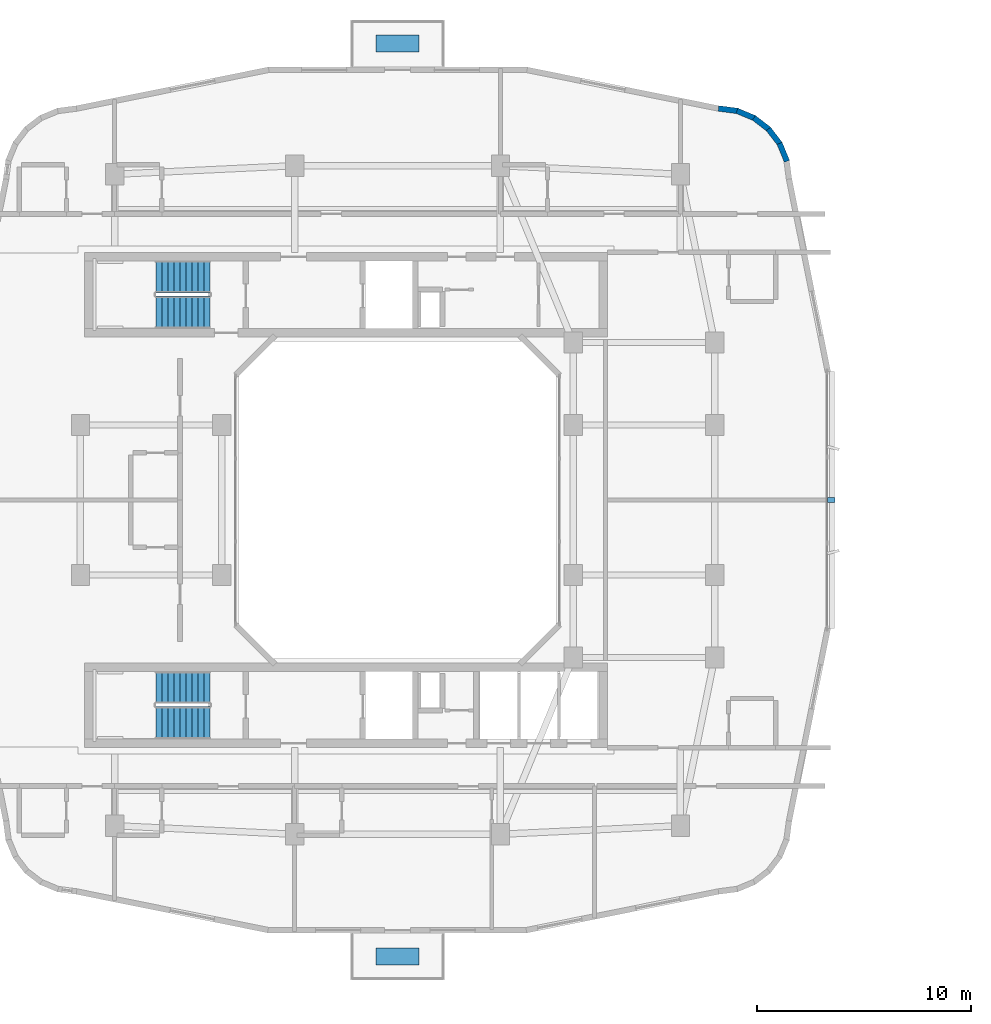
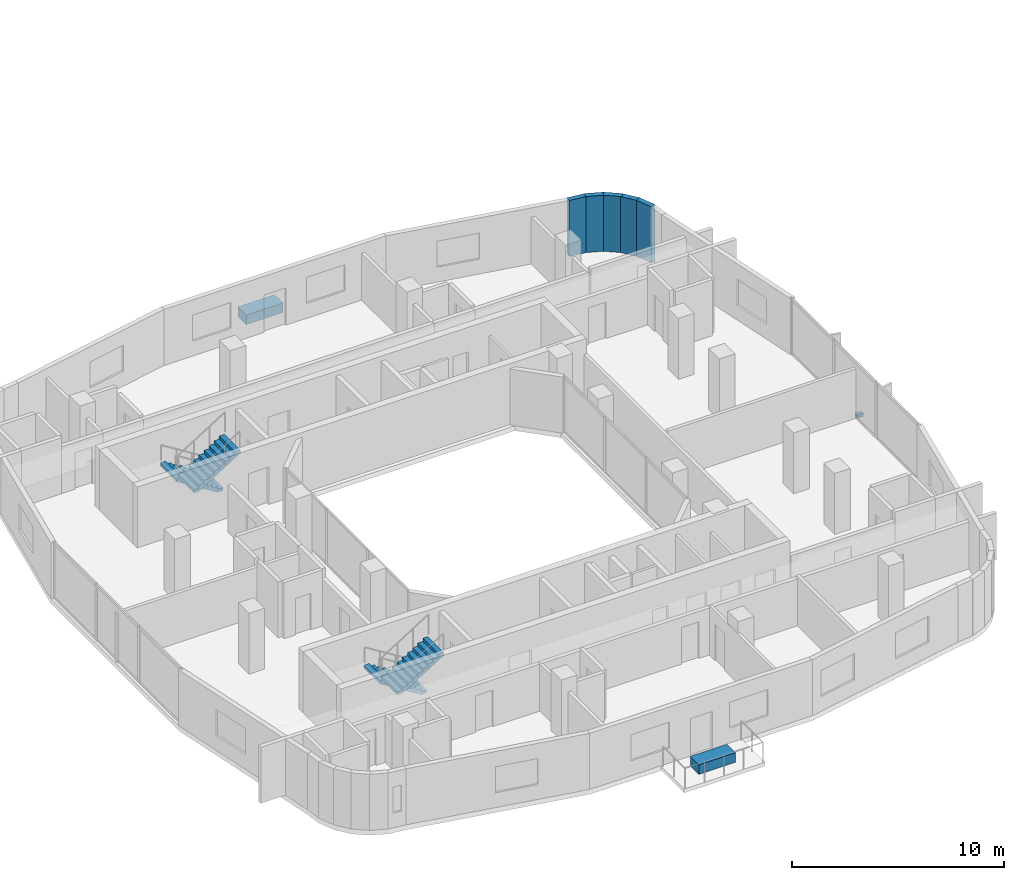
# One storey, part 9 of 13: 5 walls, 4 stair flights, 3 discrete accessories, 2 elements without a shape of their own.
"""IFC4 building model written with IfcOpenShell, lengths in metres."""

import ifcopenshell
import ifcopenshell.guid

model = None  # the IFC model being written
_history = None  # IfcOwnerHistory: only IFC2X3 demands one
_inside = {}  # id of a spatial element -> (the spatial element, [elements in it])
_under = {}  # id of a project, library or spatial element -> (it, [spatial elements below it])
_declared = {}  # id of a project -> (the project, [libraries it declares])
_typed = {}  # id of a type object -> (the type object, [elements of that type])
_made_of = {}  # id of a material, layer set ... -> (it, [elements and type objects made of it])


def new_model(schema):
    """Start an empty IFC model of exactly this schema.

    Asked for "IFC4X3", IfcOpenShell would pick the latest addendum, in which some entities
    have other attributes; the version numbers below select the first issue.
    IFC2X3 requires an IfcOwnerHistory on every rooted entity: one is made here for all.
    """
    global model, _history
    if schema == "IFC4X3":
        model = ifcopenshell.file(schema_version=(4, 3, 0, 0))
    else:
        model = ifcopenshell.file(schema=schema)
    _inside.clear()
    _under.clear()
    _declared.clear()
    _typed.clear()
    _made_of.clear()
    _history = None
    if model.schema == "IFC2X3":
        org = make("IfcOrganization", Name="unknown")
        user = make(
            "IfcPersonAndOrganization",
            ThePerson=make("IfcPerson", FamilyName="unknown"),
            TheOrganization=org,
        )
        app = make(
            "IfcApplication",
            ApplicationDeveloper=org,
            Version="unknown",
            ApplicationFullName="unknown",
            ApplicationIdentifier="unknown",
        )
        _history = make(
            "IfcOwnerHistory",
            OwningUser=user,
            OwningApplication=app,
            ChangeAction="ADDED",
            CreationDate=0,
        )
    return model


def make(cls, **values):
    """One entity of the class cls with the attributes given. An attribute that is None is left unset."""
    return model.create_entity(
        cls, **{name: value for name, value in values.items() if value is not None}
    )


def rooted(cls, **values):
    """An entity with a GlobalId (a new one), such as an element, a storey or a relation."""
    return make(cls, GlobalId=ifcopenshell.guid.new(), OwnerHistory=_history, **values)


def si_unit(unit_type, name, prefix=None):
    """IfcSIUnit, for example si_unit("LENGTHUNIT", "METRE", prefix="MILLI")."""
    return make("IfcSIUnit", UnitType=unit_type, Prefix=prefix, Name=name)


def derived_unit(unit_type, elements):
    """IfcDerivedUnit: a product of units, each with its exponent."""
    return make(
        "IfcDerivedUnit",
        Elements=[
            make("IfcDerivedUnitElement", Unit=unit, Exponent=power)
            for unit, power in elements
        ],
        UnitType=unit_type,
    )


def assignment(units):
    """IfcUnitAssignment: the units of a project."""
    return None if units is None else make("IfcUnitAssignment", Units=units)


def point(xyz):
    """IfcCartesianPoint."""
    return None if xyz is None else make("IfcCartesianPoint", Coordinates=xyz)


def direction(xyz):
    """IfcDirection."""
    return None if xyz is None else make("IfcDirection", DirectionRatios=xyz)


def frame(location, z_axis=None, x_axis=None):
    """IfcAxis2Placement3D, a coordinate frame: its origin and axes. An axis left out is left unset."""
    return make(
        "IfcAxis2Placement3D",
        Location=point(location),
        Axis=direction(z_axis),
        RefDirection=direction(x_axis),
    )


def frame_2d(location, x_axis=None):
    """IfcAxis2Placement2D, a coordinate frame in the plane: its origin and x axis."""
    return make(
        "IfcAxis2Placement2D", Location=point(location), RefDirection=direction(x_axis)
    )


def origin():
    """The frame at (0, 0, 0) with its axes left unset."""
    return frame((0.0, 0.0, 0.0))


def origin_2d():
    """The frame at (0, 0) in the plane with its x axis left unset."""
    return frame_2d((0.0, 0.0))


def place(relative_to, where):
    """IfcLocalPlacement: puts the frame where relative to a parent placement (None: the world)."""
    return make(
        "IfcLocalPlacement", PlacementRelTo=relative_to, RelativePlacement=where
    )


def context(
    kind, dimensions, precision=None, world=None, true_north=None, identifier=None
):
    """IfcGeometricRepresentationContext, for example the 3D "Model" context."""
    return make(
        "IfcGeometricRepresentationContext",
        ContextIdentifier=identifier,
        ContextType=kind,
        CoordinateSpaceDimension=dimensions,
        Precision=precision,
        WorldCoordinateSystem=world,
        TrueNorth=true_north,
    )


def subcontext(parent, identifier, kind, view, scale=None):
    """IfcGeometricRepresentationSubContext, for example "Body" below "Model"."""
    return make(
        "IfcGeometricRepresentationSubContext",
        ContextIdentifier=identifier,
        ContextType=kind,
        ParentContext=parent,
        TargetScale=scale,
        TargetView=view,
    )


def project(units=None, contexts=None):
    """IfcProject with its units and contexts."""
    return rooted(
        "IfcProject",
        Name="project",
        RepresentationContexts=contexts,
        UnitsInContext=assignment(units),
    )


def spatial(cls, under=None, at=None, **own):
    """A site, building, storey or space (cls), placed at a placement, below another one or the project."""
    s = rooted(cls, ObjectPlacement=at, **own)
    if under is not None:
        _under.setdefault(under.id(), (under, []))[1].append(s)
    return s


def polyline(points):
    """IfcPolyline through the points."""
    return make("IfcPolyline", Points=[point(p) for p in points])


def profile(cls, at=None, kind="AREA", **sizes):
    """A parametric profile (cls). Its sizes go by their IFC names, for example OverallWidth=200.0."""
    return make(cls, ProfileType=kind, Position=at, **sizes)


def rectangle(**sizes):
    """IfcRectangleProfileDef."""
    return profile("IfcRectangleProfileDef", **sizes)


def outline(outer, holes=None, kind="AREA"):
    """IfcArbitraryClosedProfileDef: a profile drawn as a closed curve; with holes, ...WithVoids."""
    if holes is None:
        return make("IfcArbitraryClosedProfileDef", ProfileType=kind, OuterCurve=outer)
    return make(
        "IfcArbitraryProfileDefWithVoids",
        ProfileType=kind,
        OuterCurve=outer,
        InnerCurves=holes,
    )


def extrude(swept, where, along, depth):
    """IfcExtrudedAreaSolid: the profile swept, set in the frame where, extruded along a direction by depth."""
    return make(
        "IfcExtrudedAreaSolid",
        SweptArea=swept,
        Position=where,
        ExtrudedDirection=direction(along),
        Depth=depth,
    )


def shape(context_of_items, identifier, shape_type, items):
    """IfcShapeRepresentation: the items that make up one representation, for example the "Body"."""
    return make(
        "IfcShapeRepresentation",
        ContextOfItems=context_of_items,
        RepresentationIdentifier=identifier,
        RepresentationType=shape_type,
        Items=items,
    )


def material(Name=None, Category=None):
    """IfcMaterial."""
    return make("IfcMaterial", Name=Name, Category=Category)


def layer(
    of_material, thickness, ventilated=None, Name=None, Category=None, Priority=None
):
    """IfcMaterialLayer: one layer of a wall or slab, of a material (None: an air gap)."""
    return make(
        "IfcMaterialLayer",
        Material=of_material,
        LayerThickness=thickness,
        IsVentilated=ventilated,
        Name=Name,
        Category=Category,
        Priority=Priority,
    )


def layer_set(layers, Name=None):
    """IfcMaterialLayerSet."""
    return make("IfcMaterialLayerSet", MaterialLayers=layers, LayerSetName=Name)


def made_of(thing, what):
    """Note that an element or type object is made of a material, layer set ...; save() writes the relation."""
    if what is not None:
        _made_of.setdefault(what.id(), (what, []))[1].append(thing)
    return thing


def type_object(cls, material=None, **own):
    """A type object (cls), such as IfcWallType, which elements share."""
    return made_of(rooted(cls, **own), material)


def element(
    cls,
    number,
    at=None,
    inside=None,
    cuts=None,
    type_object=None,
    material=None,
    context=None,
    identifier="Body",
    shape_type=None,
    held_by="IfcProductDefinitionShape",
    body=None,
    shapes=None,
    **own,
):
    """One element of the class cls, such as IfcWall. Its Tag is "e" and its number.

    at: its placement. inside: the storey or other place that contains it. cuts: it is an
    opening in that element (IfcRelVoidsElement). A single representation is given by context,
    identifier, shape_type and body (its items); several are given by shapes. held_by: the class
    of the entity that holds the representations. save() writes the other relations.
    """
    e = rooted(cls, Tag="e%d" % number, ObjectPlacement=at, **own)
    if body is not None:
        shapes = [shape(context, identifier, shape_type, body)]
    if shapes is not None:
        e.Representation = make(held_by, Representations=shapes)
    if inside is not None:
        _inside.setdefault(inside.id(), (inside, []))[1].append(e)
    if cuts is not None:
        rooted(
            "IfcRelVoidsElement", RelatingBuildingElement=cuts, RelatedOpeningElement=e
        )
    if type_object is not None:
        _typed.setdefault(type_object.id(), (type_object, []))[1].append(e)
    return made_of(e, material)


def aggregate(whole, parts):
    """IfcRelAggregates: a whole, such as a stair, and the parts it consists of."""
    return rooted("IfcRelAggregates", RelatingObject=whole, RelatedObjects=parts)


def save(model, path):
    """Write the relations noted so far, then the file.

    IfcRelAggregates (storeys below a building ...), IfcRelContainedInSpatialStructure (elements
    in a storey), IfcRelDefinesByType, IfcRelAssociatesMaterial and IfcRelDeclares: one each for
    every whole, place, type object, material and project.
    """
    for whole, parts in _under.values():
        aggregate(whole, parts)
    for where, things in _inside.values():
        rooted(
            "IfcRelContainedInSpatialStructure",
            RelatedElements=things,
            RelatingStructure=where,
        )
    for kind, things in _typed.values():
        rooted("IfcRelDefinesByType", RelatedObjects=things, RelatingType=kind)
    for what, things in _made_of.values():
        rooted("IfcRelAssociatesMaterial", RelatedObjects=things, RelatingMaterial=what)
    for by, libraries in _declared.values():
        rooted("IfcRelDeclares", RelatingContext=by, RelatedDefinitions=libraries)
    model.write(path)


model = new_model("IFC4")

# Units and contexts
model_context = context("Model", 3, precision=1e-05, world=origin(), true_north=direction((0.0, 1.0)))
body_context = subcontext(model_context, "Body", "Model", "MODEL_VIEW")
ifc_project = project(units=[si_unit("LENGTHUNIT", "METRE"), si_unit("AREAUNIT", "SQUARE_METRE"), si_unit("VOLUMEUNIT", "CUBIC_METRE"), si_unit("PLANEANGLEUNIT", "RADIAN"), si_unit("MASSUNIT", "GRAM", prefix="KILO"), derived_unit("THERMALTRANSMITTANCEUNIT", [(si_unit("POWERUNIT", "WATT"), 1), (si_unit("LENGTHUNIT", "METRE"), -2), (si_unit("THERMODYNAMICTEMPERATUREUNIT", "KELVIN"), -1)])], contexts=[model_context])

# Site, building, storey
site_placement = place(None, origin())
site = spatial("IfcSite", under=ifc_project, at=site_placement, CompositionType="ELEMENT")
building_placement = place(site_placement, origin())
building = spatial("IfcBuilding", under=site, at=building_placement, Name="Kivonza Crest Hotel", CompositionType="ELEMENT")
storey_placement = place(building_placement, frame((0.0, 0.0, 134.5)))
storey = spatial("IfcBuildingStorey", under=building, at=storey_placement, Name="L36", CompositionType="ELEMENT", Elevation=134.5)

# Walls
ifc_material_1 = material(Name="Precast concrete C40/50", Category="concrete")
ifc_layer = layer(ifc_material_1, 0.260009765625)
ifc_layer_set = layer_set([ifc_layer], Name="Precast concrete C40/50")
wall_type = type_object("IfcWallType", Name="WL-EXT-260", PredefinedType="STANDARD", material=ifc_layer_set)
wall_1_placement = place(storey_placement, frame((39.174072265625, 40.806884765625, 0.0), z_axis=(0.0, 0.0, 1.0), x_axis=(-0.383290660547, 0.923627776508, 0.0)))
element("IfcWall", 1, at=wall_1_placement, inside=storey, type_object=wall_type, Name="L36 T1 exterior insulated wall 20", PredefinedType="STANDARD", context=body_context, shape_type="SweptSolid", body=[
    extrude(rectangle(XDim=0.9033203125, YDim=0.260009765625, at=frame_2d((0.45166015625, 0.0))), origin(), (0.0, 0.0, 1.0), 3.219970703125),
])
wall_2_placement = place(storey_placement, frame((38.85595703125, 41.60107421875, 0.0), z_axis=(0.0, 0.0, 1.0), x_axis=(-0.608624690463, 0.793458244748, 0.0)))
element("IfcWall", 2, at=wall_2_placement, inside=storey, type_object=wall_type, Name="L36 T1 exterior insulated wall 21", PredefinedType="STANDARD", context=body_context, shape_type="SweptSolid", body=[
    extrude(rectangle(XDim=0.902099609375, YDim=0.260009765625, at=frame_2d((0.451171875, 0.0))), origin(), (0.0, 0.0, 1.0), 3.219970703125),
])
wall_3_placement = place(storey_placement, frame((38.344970703125, 42.285888671875, 0.0), z_axis=(0.0, 0.0, 1.0), x_axis=(-0.793558456666, 0.608494022858, 0.0)))
element("IfcWall", 3, at=wall_3_placement, inside=storey, type_object=wall_type, Name="L36 T1 exterior insulated wall 22", PredefinedType="STANDARD", context=body_context, shape_type="SweptSolid", body=[
    extrude(rectangle(XDim=0.90234375, YDim=0.260009765625, at=frame_2d((0.451171875, 0.0))), origin(), (0.0, 0.0, 1.0), 3.219970703125),
])
wall_4_placement = place(storey_placement, frame((37.673095703125, 42.81396484375, 0.0), z_axis=(0.0, 0.0, 1.0), x_axis=(-0.923683767999, 0.383155708213, 0.0)))
element("IfcWall", 4, at=wall_4_placement, inside=storey, type_object=wall_type, Name="L36 T1 exterior insulated wall 23", PredefinedType="STANDARD", context=body_context, shape_type="SweptSolid", body=[
    extrude(rectangle(XDim=0.90283203125, YDim=0.260009765625, at=frame_2d((0.451416015625, 0.0))), origin(), (0.0, 0.0, 1.0), 3.219970703125),
])
wall_5_placement = place(storey_placement, frame((36.887939453125, 43.152099609375, 0.0), z_axis=(0.0, 0.0, 1.0), x_axis=(-0.991487658083, 0.130200706103, 0.0)))
element("IfcWall", 5, at=wall_5_placement, inside=storey, type_object=wall_type, Name="L36 T1 exterior insulated wall 24", PredefinedType="STANDARD", context=body_context, shape_type="SweptSolid", body=[
    extrude(rectangle(XDim=0.920654296875, YDim=0.260009765625, at=frame_2d((0.46044921875, 0.0))), origin(), (0.0, 0.0, 1.0), 3.219970703125),
])

# Stair, stair flights
ifc_material_2 = material(Name="Concrete C40/50", Category="concrete")
stair_type = type_object("IfcStairType", Name="ST-DL-20R", PredefinedType="HALF_TURN_STAIR", material=ifc_material_2)
stair_1_placement = place(storey_placement, origin())
stair_1 = element("IfcStair", 6, at=stair_1_placement, inside=storey, type_object=stair_type, Name="L36 Protected Exit Stair ST-T1-N", PredefinedType="HALF_TURN_STAIR")
stair_flight_type = type_object("IfcStairFlightType", Name="SFL-RC-10R", PredefinedType="STRAIGHT", material=ifc_material_2)
stair_flight_1_placement = place(storey_placement, frame((12.239990234375, 35.409912109375, 0.0), z_axis=(0.0, 0.0, 1.0), x_axis=(-1.0, 0.0, 0.0)))
stair_flight_1 = element("IfcStairFlight", 7, at=stair_flight_1_placement, type_object=stair_flight_type, Name="ST-T1-N flight 1", NumberOfRisers=10, NumberOfTreads=9, PredefinedType="STRAIGHT", RiserHeight=0.175, TreadLength=0.28, context=body_context, shape_type="SweptSolid", body=[
    extrude(outline(polyline([(0.0, 0.0), (0.0, 0.175048828125), (0.280029296875, 0.175048828125), (0.280029296875, 0.35009765625), (0.56005859375, 0.35009765625), (0.56005859375, 0.52490234375), (0.840087890625, 0.52490234375), (0.840087890625, 0.699951171875), (1.1201171875, 0.699951171875), (1.1201171875, 0.875), (1.39990234375, 0.875), (1.39990234375, 1.050048828125), (1.679931640625, 1.050048828125), (1.679931640625, 1.22509765625), (1.9599609375, 1.22509765625), (1.9599609375, 1.39990234375), (2.239990234375, 1.39990234375), (2.239990234375, 1.574951171875), (2.52001953125, 1.574951171875), (2.52001953125, 1.75), (2.52001953125, 1.398193359375), (0.28271484375, 0.0), (0.0, 0.0)])), frame((0.0, 0.75, 0.0), z_axis=(0.0, -1.0, 0.0), x_axis=(1.0, 0.0, 0.0)), (0.0, 0.0, 1.0), 1.5),
])
stair_flight_2_placement = place(storey_placement, frame((9.719970703125, 33.77001953125, 1.75), z_axis=(0.0, 0.0, 1.0), x_axis=(1.0, 0.0, 0.0)))
stair_flight_2 = element("IfcStairFlight", 8, at=stair_flight_2_placement, type_object=stair_flight_type, Name="ST-T1-N flight 2", NumberOfRisers=10, NumberOfTreads=9, PredefinedType="STRAIGHT", RiserHeight=0.175, TreadLength=0.28, context=body_context, shape_type="SweptSolid", body=[
    extrude(outline(polyline([(0.0, 0.0), (0.0, 0.175048828125), (0.280029296875, 0.175048828125), (0.280029296875, 0.35009765625), (0.56005859375, 0.35009765625), (0.56005859375, 0.52490234375), (0.840087890625, 0.52490234375), (0.840087890625, 0.699951171875), (1.1201171875, 0.699951171875), (1.1201171875, 0.875), (1.39990234375, 0.875), (1.39990234375, 1.050048828125), (1.679931640625, 1.050048828125), (1.679931640625, 1.22509765625), (1.9599609375, 1.22509765625), (1.9599609375, 1.39990234375), (2.239990234375, 1.39990234375), (2.239990234375, 1.574951171875), (2.52001953125, 1.574951171875), (2.52001953125, 1.75), (2.52001953125, 1.398193359375), (0.28271484375, 0.0), (0.0, 0.0)])), frame((0.0, 0.75, 0.0), z_axis=(0.0, -1.0, 0.0), x_axis=(1.0, 0.0, 0.0)), (0.0, 0.0, 1.0), 1.5),
])
aggregate(stair_1, [stair_flight_1, stair_flight_2])

stair_2_placement = place(storey_placement, origin())
stair_2 = element("IfcStair", 9, at=stair_2_placement, inside=storey, type_object=stair_type, Name="L36 Protected Exit Stair ST-T1-S", PredefinedType="HALF_TURN_STAIR")
stair_flight_3_placement = place(storey_placement, frame((12.239990234375, 16.25, 0.0), z_axis=(0.0, 0.0, 1.0), x_axis=(-1.0, 0.0, 0.0)))
stair_flight_3 = element("IfcStairFlight", 10, at=stair_flight_3_placement, type_object=stair_flight_type, Name="ST-T1-S flight 1", NumberOfRisers=10, NumberOfTreads=9, PredefinedType="STRAIGHT", RiserHeight=0.175, TreadLength=0.28, context=body_context, shape_type="SweptSolid", body=[
    extrude(outline(polyline([(0.0, 0.0), (0.0, 0.175048828125), (0.280029296875, 0.175048828125), (0.280029296875, 0.35009765625), (0.56005859375, 0.35009765625), (0.56005859375, 0.52490234375), (0.840087890625, 0.52490234375), (0.840087890625, 0.699951171875), (1.1201171875, 0.699951171875), (1.1201171875, 0.875), (1.39990234375, 0.875), (1.39990234375, 1.050048828125), (1.679931640625, 1.050048828125), (1.679931640625, 1.22509765625), (1.9599609375, 1.22509765625), (1.9599609375, 1.39990234375), (2.239990234375, 1.39990234375), (2.239990234375, 1.574951171875), (2.52001953125, 1.574951171875), (2.52001953125, 1.75), (2.52001953125, 1.398193359375), (0.28271484375, 0.0), (0.0, 0.0)])), frame((0.0, 0.75, 0.0), z_axis=(0.0, -1.0, 0.0), x_axis=(1.0, 0.0, 0.0)), (0.0, 0.0, 1.0), 1.5),
])
stair_flight_4_placement = place(storey_placement, frame((9.719970703125, 14.610107421875, 1.75), z_axis=(0.0, 0.0, 1.0), x_axis=(1.0, 0.0, 0.0)))
stair_flight_4 = element("IfcStairFlight", 11, at=stair_flight_4_placement, type_object=stair_flight_type, Name="ST-T1-S flight 2", NumberOfRisers=10, NumberOfTreads=9, PredefinedType="STRAIGHT", RiserHeight=0.175, TreadLength=0.28, context=body_context, shape_type="SweptSolid", body=[
    extrude(outline(polyline([(0.0, 0.0), (0.0, 0.175048828125), (0.280029296875, 0.175048828125), (0.280029296875, 0.35009765625), (0.56005859375, 0.35009765625), (0.56005859375, 0.52490234375), (0.840087890625, 0.52490234375), (0.840087890625, 0.699951171875), (1.1201171875, 0.699951171875), (1.1201171875, 0.875), (1.39990234375, 0.875), (1.39990234375, 1.050048828125), (1.679931640625, 1.050048828125), (1.679931640625, 1.22509765625), (1.9599609375, 1.22509765625), (1.9599609375, 1.39990234375), (2.239990234375, 1.39990234375), (2.239990234375, 1.574951171875), (2.52001953125, 1.574951171875), (2.52001953125, 1.75), (2.52001953125, 1.398193359375), (0.28271484375, 0.0), (0.0, 0.0)])), frame((0.0, 0.75, 0.0), z_axis=(0.0, -1.0, 0.0), x_axis=(1.0, 0.0, 0.0)), (0.0, 0.0, 1.0), 1.5),
])
aggregate(stair_2, [stair_flight_3, stair_flight_4])

# Discrete accessories
ifc_material_3 = material(Name="Stainless steel 316", Category="steel")
discrete_accessory_type_1 = type_object("IfcDiscreteAccessoryType", Name="AC-BRACKET-240", PredefinedType="BRACKET", material=ifc_material_3)
discrete_accessory_placement = place(storey_placement, frame((41.239990234375, 25.0, -0.009765625), z_axis=(0.0, 0.0, 1.0), x_axis=(0.0, 1.0, 0.0)))
element("IfcDiscreteAccessory", 12, at=discrete_accessory_placement, inside=storey, type_object=discrete_accessory_type_1, Name="L36 terracotta baguette support bracket CW-T1-L36-17", PredefinedType="BRACKET", context=body_context, shape_type="SweptSolid", body=[
    extrude(rectangle(XDim=0.219970703125, YDim=0.340087890625, at=origin_2d()), origin(), (0.0, 0.0, 1.0), 0.179931640625),
])
ifc_material_4 = material(Name="Precast GRC planter with engineered planting soil", Category="concrete")
discrete_accessory_type_2 = type_object("IfcDiscreteAccessoryType", Name="AC-PLANTER-1800", PredefinedType="USERDEFINED", material=ifc_material_4)
for number, where, z_axis, x_axis, name in (
    (13, (21.0, 3.699951171875, 0.0), (0.0, 0.0, 1.0), (1.0, 0.0, 0.0), "T1 L36 SW sky-garden planter"),
    (14, (21.0, 46.300048828125, 0.0), (0.0, 0.0, 1.0), (1.0, 0.0, 0.0), "T1 L36 NE sky-garden planter"),
):
    element("IfcDiscreteAccessory", number, at=place(storey_placement, frame(where, z_axis=z_axis, x_axis=x_axis)), inside=storey, type_object=discrete_accessory_type_2, Name=name, ObjectType="PLANTER", PredefinedType="USERDEFINED", context=body_context, shape_type="SweptSolid", body=[
        extrude(rectangle(XDim=2.0, YDim=0.800048828125, at=origin_2d()), origin(), (0.0, 0.0, 1.0), 0.550048828125),
    ])

save(model, "model.ifc")
